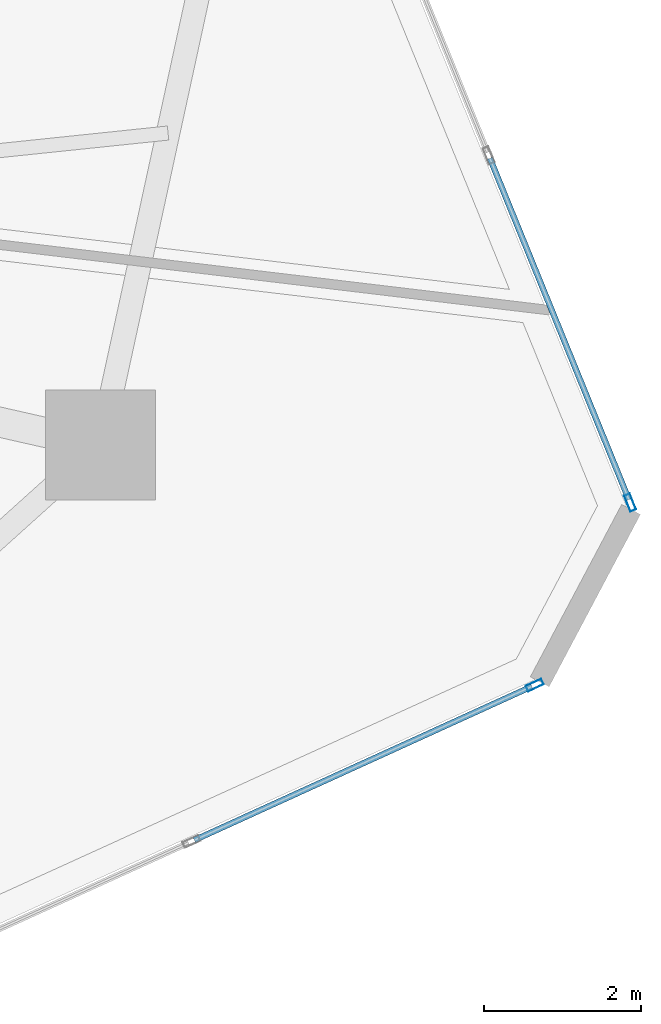
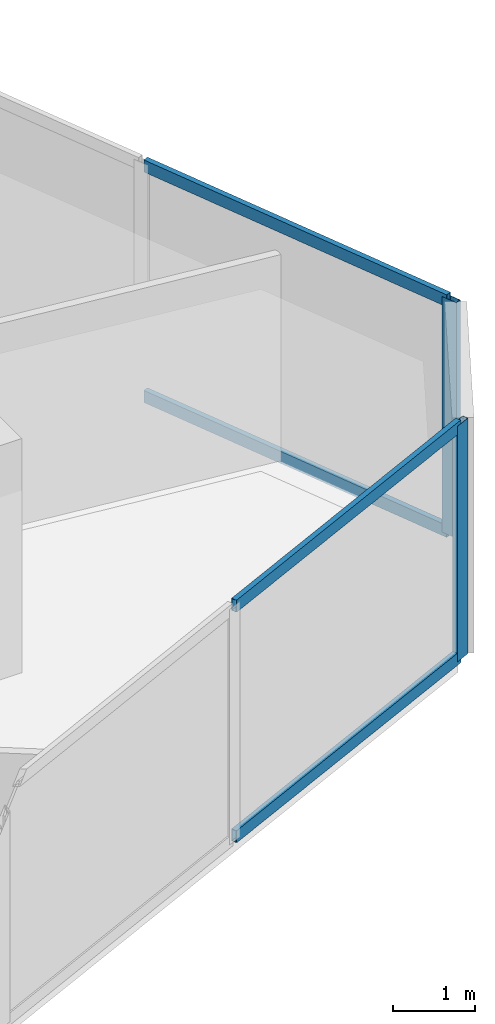
# One storey, part 11 of 24: 6 members, 2 elements without a shape of their own.
"""IFC4 building model written with IfcOpenShell, lengths in metres."""

from ifc_helpers import new_model, si_unit, direction, frame, origin, origin_2d, place, context, subcontext, project, spatial, hollow_rectangle, extrude, source, transform, mapped, material, layer, layer_set, material_profile, profile_set, type_object, type_shapes, element, aggregate, save


model = new_model("IFC4")

# Units and contexts
model_context = context("Model", 3, precision=1e-05, world=origin(), true_north=direction((0.0, 1.0)))
body_context = subcontext(model_context, "Body", "Model", "MODEL_VIEW")
ifc_project = project(units=[si_unit("LENGTHUNIT", "METRE"), si_unit("AREAUNIT", "SQUARE_METRE"), si_unit("VOLUMEUNIT", "CUBIC_METRE"), si_unit("PLANEANGLEUNIT", "RADIAN"), si_unit("MASSUNIT", "GRAM", prefix="KILO")], contexts=[model_context])

# Site, building, storey
site_placement = place(None, origin())
site = spatial("IfcSite", under=ifc_project, at=site_placement, CompositionType="ELEMENT")
building_placement = place(site_placement, origin())
building = spatial("IfcBuilding", under=site, at=building_placement, Name="Talar Marvaseh", CompositionType="ELEMENT")
storey_placement = place(building_placement, frame((0.0, 0.0, 31.60009765625)))
storey = spatial("IfcBuildingStorey", under=building, at=storey_placement, Name="L07", CompositionType="ELEMENT", Elevation=31.60009765625)

# Curtain wall, member
ifc_material = material(Name="Architectural Aluminium", Category="aluminium")
ifc_layer = layer(ifc_material, 0.219970703125)
ifc_layer_set = layer_set([ifc_layer], Name="Architectural Aluminium")
curtain_wall_type = type_object("IfcCurtainWallType", Name="Unitised Low-E Museum Curtain Wall Z1", PredefinedType="NOTDEFINED", material=ifc_layer_set)
curtain_wall_1_placement = place(storey_placement, origin())
curtain_wall_1 = element("IfcCurtainWall", 1, at=curtain_wall_1_placement, inside=storey, type_object=curtain_wall_type, Name="L07 Unitised Low-E Museum Curtain Wall Z1", PredefinedType="NOTDEFINED")
ifc_material_profile_1 = material_profile(ifc_material, hollow_rectangle(XDim=0.080078125, YDim=0.219970703125, WallThickness=0.0048828125, at=origin_2d()), Name="RHS220x80x5")
ifc_profile_set_1 = profile_set([ifc_material_profile_1], Name="Architectural Aluminium")
member_type_1 = type_object("IfcMemberType", Name="Unitised Curtain Wall Heavy Mullion RHS220x80x5", PredefinedType="MULLION", material=ifc_profile_set_1)
shared_shape_1 = source(origin(), body_context, "Body", "SweptSolid", [
    extrude(hollow_rectangle(XDim=0.080078125, YDim=0.219970703125, WallThickness=0.0048828125, at=origin_2d()), origin(), (0.0, 0.0, 1.0), 3.52001953125),
])
type_shapes(member_type_1, [shared_shape_1])
member_1_placement = place(storey_placement, frame((51.79296875, 22.105712890625, 0.0), z_axis=(0.0, 0.0, 1.0), x_axis=(0.926174284661, 0.377095736428, 0.0)))
member_1 = element("IfcMember", 2, at=member_1_placement, type_object=member_type_1, Name="CW-Z1 mullion 5", PredefinedType="MULLION", context=body_context, shape_type="MappedRepresentation", body=[
    mapped(shared_shape_1, transform((0.0, 0.0, 0.0), x_axis=(1.0, 0.0, 0.0), y_axis=(0.0, 1.0, 0.0), z_axis=(0.0, 0.0, 1.0), scale=1.0)),
])

# Curtain wall, members
curtain_wall_2_placement = place(storey_placement, origin())
curtain_wall_2 = element("IfcCurtainWall", 3, at=curtain_wall_2_placement, inside=storey, type_object=curtain_wall_type, Name="L07 Unitised Low-E Museum Curtain Wall Z1", PredefinedType="NOTDEFINED")
member_2_placement = place(storey_placement, frame((50.577392578125, 19.780029296875, 0.0), z_axis=(0.0, 0.0, 1.0), x_axis=(0.414554775033, -0.910024361486, 0.0)))
member_2 = element("IfcMember", 4, at=member_2_placement, type_object=member_type_1, Name="CW-Z1 mullion 1", PredefinedType="MULLION", context=body_context, shape_type="MappedRepresentation", body=[
    mapped(shared_shape_1, transform((0.0, 0.0, 0.0), x_axis=(1.0, 0.0, 0.0), y_axis=(0.0, 1.0, 0.0), z_axis=(0.0, 0.0, 1.0), scale=1.0)),
])
ifc_material_profile_2 = material_profile(ifc_material, hollow_rectangle(XDim=0.074951171875, YDim=0.179931640625, WallThickness=0.0048828125, at=origin_2d()), Name="RHS180x75x5")
ifc_profile_set_2 = profile_set([ifc_material_profile_2], Name="Architectural Aluminium")
member_type_2 = type_object("IfcMemberType", Name="Unitised Curtain Wall Transom RHS180x75x5", PredefinedType="USERDEFINED", material=ifc_profile_set_2)
shared_shape_2 = source(origin(), body_context, "Body", "SweptSolid", [
    extrude(hollow_rectangle(XDim=0.074951171875, YDim=0.179931640625, WallThickness=0.0048828125, at=origin_2d()), origin(), (0.0, 0.0, 1.0), 4.72509765625),
])
member_3_placement = place(storey_placement, frame((50.541015625, 19.763427734375, 0.037353515625), z_axis=(-0.910033524465, -0.414534660011, 0.0), x_axis=(0.414534660011, -0.910033524465, 0.0)))
member_3 = element("IfcMember", 5, at=member_3_placement, type_object=member_type_2, Name="CW-Z1 transom 1.1", ObjectType="TRANSOM", PredefinedType="USERDEFINED", context=body_context, shape_type="MappedRepresentation", body=[
    mapped(shared_shape_2, transform((0.0, 0.0, 0.0), x_axis=(1.0, 0.0, 0.0), y_axis=(0.0, 1.0, 0.0), z_axis=(0.0, 0.0, 1.0), scale=1.0)),
])
member_4_placement = place(storey_placement, frame((50.541015625, 19.763427734375, 3.482421875), z_axis=(-0.910033524465, -0.414534660011, 0.0), x_axis=(0.414534660011, -0.910033524465, 0.0)))
member_4 = element("IfcMember", 6, at=member_4_placement, type_object=member_type_2, Name="CW-Z1 transom 1.2", ObjectType="TRANSOM", PredefinedType="USERDEFINED", context=body_context, shape_type="MappedRepresentation", body=[
    mapped(shared_shape_2, transform((0.0, 0.0, 0.0), x_axis=(1.0, 0.0, 0.0), y_axis=(0.0, 1.0, 0.0), z_axis=(0.0, 0.0, 1.0), scale=1.0)),
])
aggregate(curtain_wall_2, [member_2, member_3, member_4])

# Member
shared_shape_3 = source(origin(), body_context, "Body", "SweptSolid", [
    extrude(hollow_rectangle(XDim=0.074951171875, YDim=0.179931640625, WallThickness=0.0048828125, at=origin_2d()), origin(), (0.0, 0.0, 1.0), 4.696533203125),
])
type_shapes(member_type_2, [shared_shape_2, shared_shape_3])
member_5_placement = place(storey_placement, frame((50.0068359375, 26.49267578125, 0.037353515625), z_axis=(0.377083869805, -0.926179116118, 0.0), x_axis=(0.926179116118, 0.377083869805, 0.0)))
member_5 = element("IfcMember", 7, at=member_5_placement, type_object=member_type_2, Name="CW-Z1 transom 4.1", ObjectType="TRANSOM", PredefinedType="USERDEFINED", context=body_context, shape_type="MappedRepresentation", body=[
    mapped(shared_shape_3, transform((0.0, 0.0, 0.0), x_axis=(1.0, 0.0, 0.0), y_axis=(0.0, 1.0, 0.0), z_axis=(0.0, 0.0, 1.0), scale=1.0)),
])

member_6_placement = place(storey_placement, frame((50.0068359375, 26.49267578125, 3.482421875), z_axis=(0.377083869805, -0.926179116118, 0.0), x_axis=(0.926179116118, 0.377083869805, 0.0)))
member_6 = element("IfcMember", 8, at=member_6_placement, type_object=member_type_2, Name="CW-Z1 transom 4.2", ObjectType="TRANSOM", PredefinedType="USERDEFINED", context=body_context, shape_type="MappedRepresentation", body=[
    mapped(shared_shape_3, transform((0.0, 0.0, 0.0), x_axis=(1.0, 0.0, 0.0), y_axis=(0.0, 1.0, 0.0), z_axis=(0.0, 0.0, 1.0), scale=1.0)),
])

aggregate(curtain_wall_1, [member_1, member_5, member_6])

save(model, "model.ifc")
